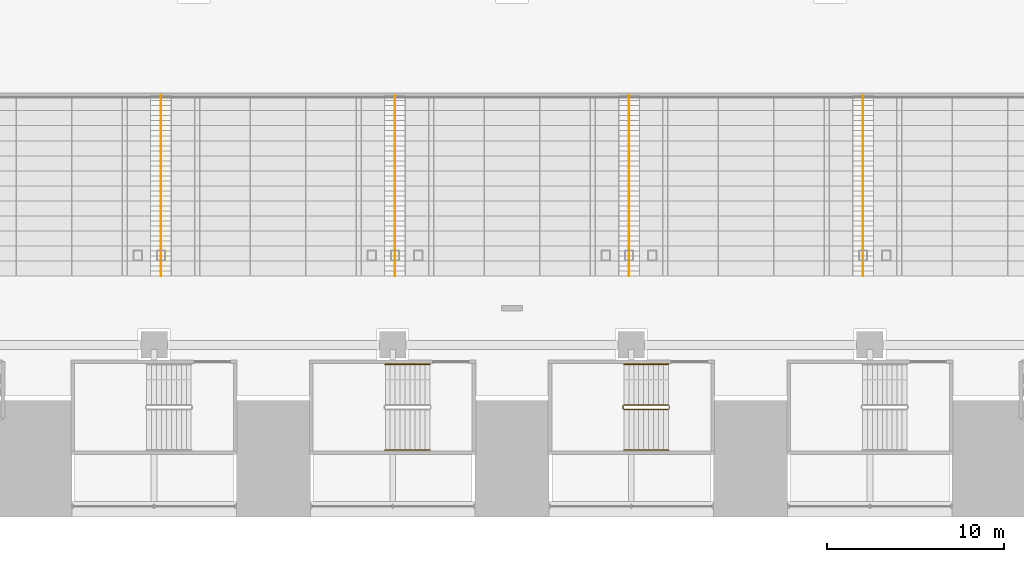
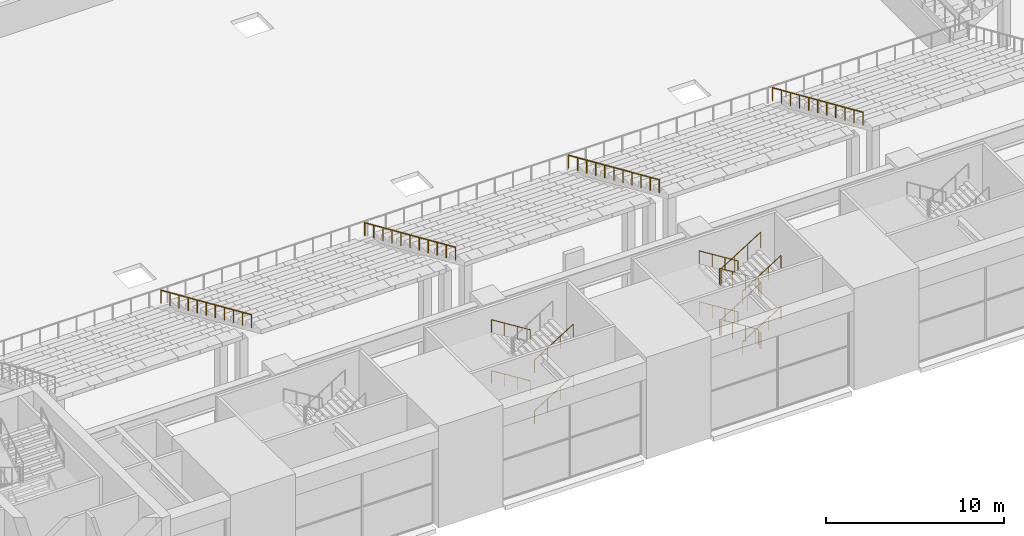
# One storey, part 55 of 62: 4 railings.
"""IFC4 building model written with IfcOpenShell, lengths in metres."""

from ifc_helpers import new_model, si_unit, direction, frame, origin, origin_2d, place, context, subcontext, project, spatial, circle, extrude, material, type_object, element, save


model = new_model("IFC4")

# Units and contexts
model_context = context("Model", 3, precision=1e-05, world=origin(), true_north=direction((0.0, 1.0)))
body_context = subcontext(model_context, "Body", "Model", "MODEL_VIEW")
ifc_project = project(units=[si_unit("LENGTHUNIT", "METRE"), si_unit("AREAUNIT", "SQUARE_METRE"), si_unit("VOLUMEUNIT", "CUBIC_METRE"), si_unit("PLANEANGLEUNIT", "RADIAN"), si_unit("MASSUNIT", "GRAM", prefix="KILO")], contexts=[model_context])

# Site, building, storey
site_placement = place(None, origin())
site = spatial("IfcSite", under=ifc_project, at=site_placement, CompositionType="ELEMENT")
building_placement = place(site_placement, origin())
building = spatial("IfcBuilding", under=site, at=building_placement, Name="Corbelhall Arena Tower", CompositionType="ELEMENT")
storey_placement = place(building_placement, frame((0.0, 0.0, 12.0)))
storey = spatial("IfcBuildingStorey", under=building, at=storey_placement, Name="L01", CompositionType="ELEMENT", Elevation=12.0)

# Railings
ifc_material = material(Name="Stainless steel A4", Category="steel")
railing_type_1 = type_object("IfcRailingType", Name="AR-HANDRAIL-AISLE", PredefinedType="HANDRAIL", material=ifc_material)
railing_1_placement = place(storey_placement, frame((19.860107421875, -15.14990234375, 2.5)))
element("IfcRailing", 1, at=railing_1_placement, inside=storey, type_object=railing_type_1, Name="Aisle handrails LS", PredefinedType="HANDRAIL", context=body_context, shape_type="SweptSolid", body=[
    extrude(circle(Radius=0.02392578125, at=origin_2d()), frame((0.0, 0.0, 0.8759765625), z_axis=(0.0, -0.914920655812, 0.403633736906), x_axis=(1.0, 0.0, 0.0)), (0.0, 0.0, 1.0), 11.148681640625),
    extrude(circle(Radius=0.02392578125, at=origin_2d()), frame((-13.239990234375, 0.0, 0.8759765625), z_axis=(0.0, -0.914920655812, 0.403633736906), x_axis=(1.0, 0.0, 0.0)), (0.0, 0.0, 1.0), 11.148681640625),
    extrude(circle(Radius=0.02392578125, at=origin_2d()), frame((-26.480224609375, 0.0, 0.8759765625), z_axis=(0.0, -0.914920655812, 0.403633736906), x_axis=(1.0, 0.0, 0.0)), (0.0, 0.0, 1.0), 11.148681640625),
    extrude(circle(Radius=0.02392578125, at=origin_2d()), frame((-39.72021484375, 0.0, 0.8759765625), z_axis=(0.0, -0.914920655812, 0.403633736906), x_axis=(1.0, 0.0, 0.0)), (0.0, 0.0, 1.0), 11.148681640625),
    extrude(circle(Radius=0.02099609375, at=origin_2d()), origin(), (0.0, 0.0, 1.0), 0.851806640625),
    extrude(circle(Radius=0.02099609375, at=origin_2d()), frame((0.0, -1.02001953125, 0.449951171875)), (0.0, 0.0, 1.0), 0.851806640625),
    extrude(circle(Radius=0.02099609375, at=origin_2d()), frame((0.0, -2.0400390625, 0.89990234375)), (0.0, 0.0, 1.0), 0.851806640625),
    extrude(circle(Radius=0.02099609375, at=origin_2d()), frame((0.0, -3.06005859375, 1.35009765625)), (0.0, 0.0, 1.0), 0.851806640625),
    extrude(circle(Radius=0.02099609375, at=origin_2d()), frame((0.0, -4.080078125, 1.800048828125)), (0.0, 0.0, 1.0), 0.851806640625),
    extrude(circle(Radius=0.02099609375, at=origin_2d()), frame((0.0, -5.10009765625, 2.25)), (0.0, 0.0, 1.0), 0.851806640625),
    extrude(circle(Radius=0.02099609375, at=origin_2d()), frame((0.0, -6.1201171875, 2.699951171875)), (0.0, 0.0, 1.0), 0.851806640625),
    extrude(circle(Radius=0.02099609375, at=origin_2d()), frame((0.0, -7.14013671875, 3.14990234375)), (0.0, 0.0, 1.0), 0.851806640625),
    extrude(circle(Radius=0.02099609375, at=origin_2d()), frame((0.0, -8.16015625, 3.60009765625)), (0.0, 0.0, 1.0), 0.851806640625),
    extrude(circle(Radius=0.02099609375, at=origin_2d()), frame((0.0, -9.18017578125, 4.050048828125)), (0.0, 0.0, 1.0), 0.851806640625),
    extrude(circle(Radius=0.02099609375, at=origin_2d()), frame((0.0, -10.2001953125, 4.5)), (0.0, 0.0, 1.0), 0.851806640625),
    extrude(circle(Radius=0.02099609375, at=origin_2d()), frame((-13.239990234375, 0.0, 0.0)), (0.0, 0.0, 1.0), 0.851806640625),
    extrude(circle(Radius=0.02099609375, at=origin_2d()), frame((-13.239990234375, -1.02001953125, 0.449951171875)), (0.0, 0.0, 1.0), 0.851806640625),
    extrude(circle(Radius=0.02099609375, at=origin_2d()), frame((-13.239990234375, -2.0400390625, 0.89990234375)), (0.0, 0.0, 1.0), 0.851806640625),
    extrude(circle(Radius=0.02099609375, at=origin_2d()), frame((-13.239990234375, -3.06005859375, 1.35009765625)), (0.0, 0.0, 1.0), 0.851806640625),
    extrude(circle(Radius=0.02099609375, at=origin_2d()), frame((-13.239990234375, -4.080078125, 1.800048828125)), (0.0, 0.0, 1.0), 0.851806640625),
    extrude(circle(Radius=0.02099609375, at=origin_2d()), frame((-13.239990234375, -5.10009765625, 2.25)), (0.0, 0.0, 1.0), 0.851806640625),
    extrude(circle(Radius=0.02099609375, at=origin_2d()), frame((-13.239990234375, -6.1201171875, 2.699951171875)), (0.0, 0.0, 1.0), 0.851806640625),
    extrude(circle(Radius=0.02099609375, at=origin_2d()), frame((-13.239990234375, -7.14013671875, 3.14990234375)), (0.0, 0.0, 1.0), 0.851806640625),
    extrude(circle(Radius=0.02099609375, at=origin_2d()), frame((-13.239990234375, -8.16015625, 3.60009765625)), (0.0, 0.0, 1.0), 0.851806640625),
    extrude(circle(Radius=0.02099609375, at=origin_2d()), frame((-13.239990234375, -9.18017578125, 4.050048828125)), (0.0, 0.0, 1.0), 0.851806640625),
    extrude(circle(Radius=0.02099609375, at=origin_2d()), frame((-13.239990234375, -10.2001953125, 4.5)), (0.0, 0.0, 1.0), 0.851806640625),
    extrude(circle(Radius=0.02099609375, at=origin_2d()), frame((-26.480224609375, 0.0, 0.0)), (0.0, 0.0, 1.0), 0.851806640625),
    extrude(circle(Radius=0.02099609375, at=origin_2d()), frame((-26.480224609375, -1.02001953125, 0.449951171875)), (0.0, 0.0, 1.0), 0.851806640625),
    extrude(circle(Radius=0.02099609375, at=origin_2d()), frame((-26.480224609375, -2.0400390625, 0.89990234375)), (0.0, 0.0, 1.0), 0.851806640625),
    extrude(circle(Radius=0.02099609375, at=origin_2d()), frame((-26.480224609375, -3.06005859375, 1.35009765625)), (0.0, 0.0, 1.0), 0.851806640625),
    extrude(circle(Radius=0.02099609375, at=origin_2d()), frame((-26.480224609375, -4.080078125, 1.800048828125)), (0.0, 0.0, 1.0), 0.851806640625),
    extrude(circle(Radius=0.02099609375, at=origin_2d()), frame((-26.480224609375, -5.10009765625, 2.25)), (0.0, 0.0, 1.0), 0.851806640625),
    extrude(circle(Radius=0.02099609375, at=origin_2d()), frame((-26.480224609375, -6.1201171875, 2.699951171875)), (0.0, 0.0, 1.0), 0.851806640625),
    extrude(circle(Radius=0.02099609375, at=origin_2d()), frame((-26.480224609375, -7.14013671875, 3.14990234375)), (0.0, 0.0, 1.0), 0.851806640625),
    extrude(circle(Radius=0.02099609375, at=origin_2d()), frame((-26.480224609375, -8.16015625, 3.60009765625)), (0.0, 0.0, 1.0), 0.851806640625),
    extrude(circle(Radius=0.02099609375, at=origin_2d()), frame((-26.480224609375, -9.18017578125, 4.050048828125)), (0.0, 0.0, 1.0), 0.851806640625),
    extrude(circle(Radius=0.02099609375, at=origin_2d()), frame((-26.480224609375, -10.2001953125, 4.5)), (0.0, 0.0, 1.0), 0.851806640625),
    extrude(circle(Radius=0.02099609375, at=origin_2d()), frame((-39.72021484375, 0.0, 0.0)), (0.0, 0.0, 1.0), 0.851806640625),
    extrude(circle(Radius=0.02099609375, at=origin_2d()), frame((-39.72021484375, -1.02001953125, 0.449951171875)), (0.0, 0.0, 1.0), 0.851806640625),
    extrude(circle(Radius=0.02099609375, at=origin_2d()), frame((-39.72021484375, -2.0400390625, 0.89990234375)), (0.0, 0.0, 1.0), 0.851806640625),
    extrude(circle(Radius=0.02099609375, at=origin_2d()), frame((-39.72021484375, -3.06005859375, 1.35009765625)), (0.0, 0.0, 1.0), 0.851806640625),
    extrude(circle(Radius=0.02099609375, at=origin_2d()), frame((-39.72021484375, -4.080078125, 1.800048828125)), (0.0, 0.0, 1.0), 0.851806640625),
    extrude(circle(Radius=0.02099609375, at=origin_2d()), frame((-39.72021484375, -5.10009765625, 2.25)), (0.0, 0.0, 1.0), 0.851806640625),
    extrude(circle(Radius=0.02099609375, at=origin_2d()), frame((-39.72021484375, -6.1201171875, 2.699951171875)), (0.0, 0.0, 1.0), 0.851806640625),
    extrude(circle(Radius=0.02099609375, at=origin_2d()), frame((-39.72021484375, -7.14013671875, 3.14990234375)), (0.0, 0.0, 1.0), 0.851806640625),
    extrude(circle(Radius=0.02099609375, at=origin_2d()), frame((-39.72021484375, -8.16015625, 3.60009765625)), (0.0, 0.0, 1.0), 0.851806640625),
    extrude(circle(Radius=0.02099609375, at=origin_2d()), frame((-39.72021484375, -9.18017578125, 4.050048828125)), (0.0, 0.0, 1.0), 0.851806640625),
    extrude(circle(Radius=0.02099609375, at=origin_2d()), frame((-39.72021484375, -10.2001953125, 4.5)), (0.0, 0.0, 1.0), 0.851806640625),
])
railing_type_2 = type_object("IfcRailingType", Name="AR-STAIR-GUARD", PredefinedType="GUARDRAIL", material=ifc_material)
railing_2_placement = place(storey_placement, frame((8.85009765625, -32.64990234375, 0.175048828125)))
element("IfcRailing", 2, at=railing_2_placement, inside=storey, type_object=railing_type_2, Name="L01 AS15 stair guards", PredefinedType="GUARDRAIL", context=body_context, shape_type="SweptSolid", body=[
    extrude(circle(Radius=0.02392578125, at=origin_2d()), frame((0.0, 0.0, 1.076171875), z_axis=(-0.848007534815, 0.0, 0.529984170421), x_axis=(0.0, -1.0, 0.0)), (0.0, 0.0, 1.0), 2.9716796875),
    extrude(circle(Radius=0.02392578125, at=origin_2d()), frame((-2.570068359375, -0.050048828125, 2.65087890625), z_axis=(0.0, -1.0, 0.0), x_axis=(1.0, 0.0, 0.0)), (0.0, 0.0, 1.0), 0.150146484375),
    extrude(circle(Radius=0.02392578125, at=origin_2d()), frame((-2.52001953125, -0.25, 2.826171875), z_axis=(0.848007534815, 0.0, 0.529984170421), x_axis=(0.0, 1.0, 0.0)), (0.0, 0.0, 1.0), 2.9716796875),
    extrude(circle(Radius=0.02392578125, at=origin_2d()), frame((0.0498046875, -0.050048828125, 4.40087890625), z_axis=(0.0, -1.0, 0.0), x_axis=(1.0, 0.0, 0.0)), (0.0, 0.0, 1.0), 0.150146484375),
    extrude(circle(Radius=0.02392578125, at=origin_2d()), frame((0.0, 0.0, 4.576171875), z_axis=(-0.848007534815, 0.0, 0.529984170421), x_axis=(0.0, -1.0, 0.0)), (0.0, 0.0, 1.0), 2.9716796875),
    extrude(circle(Radius=0.02392578125, at=origin_2d()), frame((-2.570068359375, -0.050048828125, 6.15087890625), z_axis=(0.0, -1.0, 0.0), x_axis=(1.0, 0.0, 0.0)), (0.0, 0.0, 1.0), 0.150146484375),
    extrude(circle(Radius=0.02392578125, at=origin_2d()), frame((-2.52001953125, -0.25, 6.326171875), z_axis=(0.848007534815, 0.0, 0.529984170421), x_axis=(0.0, 1.0, 0.0)), (0.0, 0.0, 1.0), 2.9716796875),
    extrude(circle(Radius=0.02392578125, at=origin_2d()), frame((0.0498046875, -0.050048828125, 0.90087890625), z_axis=(0.0, -1.0, 0.0), x_axis=(1.0, 0.0, 0.0)), (0.0, 0.0, 1.0), 0.150146484375),
    extrude(circle(Radius=0.02099609375, at=origin_2d()), origin(), (0.0, 0.0, 1.0), 1.052001953125),
    extrude(circle(Radius=0.02099609375, at=origin_2d()), frame((-0.840087890625, 0.0, 0.52490234375)), (0.0, 0.0, 1.0), 1.052001953125),
    extrude(circle(Radius=0.02099609375, at=origin_2d()), frame((-1.679931640625, 0.0, 1.050048828125)), (0.0, 0.0, 1.0), 1.052001953125),
    extrude(circle(Radius=0.02099609375, at=origin_2d()), frame((-2.52001953125, 0.0, 1.574951171875)), (0.0, 0.0, 1.0), 1.052001953125),
    extrude(circle(Radius=0.02099609375, at=origin_2d()), frame((-2.570068359375, -0.050048828125, 1.574951171875)), (0.0, 0.0, 1.0), 1.052001953125),
    extrude(circle(Radius=0.02099609375, at=origin_2d()), frame((-2.570068359375, -0.2001953125, 1.574951171875)), (0.0, 0.0, 1.0), 1.052001953125),
    extrude(circle(Radius=0.02099609375, at=origin_2d()), frame((-2.52001953125, -0.25, 1.75)), (0.0, 0.0, 1.0), 1.052001953125),
    extrude(circle(Radius=0.02099609375, at=origin_2d()), frame((-1.679931640625, -0.25, 2.27490234375)), (0.0, 0.0, 1.0), 1.052001953125),
    extrude(circle(Radius=0.02099609375, at=origin_2d()), frame((-0.840087890625, -0.25, 2.800048828125)), (0.0, 0.0, 1.0), 1.052001953125),
    extrude(circle(Radius=0.02099609375, at=origin_2d()), frame((0.0, -0.25, 3.324951171875)), (0.0, 0.0, 1.0), 1.052001953125),
    extrude(circle(Radius=0.02099609375, at=origin_2d()), frame((0.0498046875, -0.050048828125, 3.324951171875)), (0.0, 0.0, 1.0), 1.052001953125),
    extrude(circle(Radius=0.02099609375, at=origin_2d()), frame((0.0498046875, -0.2001953125, 3.324951171875)), (0.0, 0.0, 1.0), 1.052001953125),
    extrude(circle(Radius=0.02099609375, at=origin_2d()), frame((0.0, 0.0, 3.5)), (0.0, 0.0, 1.0), 1.052001953125),
    extrude(circle(Radius=0.02099609375, at=origin_2d()), frame((-0.840087890625, 0.0, 4.02490234375)), (0.0, 0.0, 1.0), 1.052001953125),
    extrude(circle(Radius=0.02099609375, at=origin_2d()), frame((-1.679931640625, 0.0, 4.550048828125)), (0.0, 0.0, 1.0), 1.052001953125),
    extrude(circle(Radius=0.02099609375, at=origin_2d()), frame((-2.52001953125, 0.0, 5.074951171875)), (0.0, 0.0, 1.0), 1.052001953125),
    extrude(circle(Radius=0.02099609375, at=origin_2d()), frame((-2.570068359375, -0.050048828125, 5.074951171875)), (0.0, 0.0, 1.0), 1.052001953125),
    extrude(circle(Radius=0.02099609375, at=origin_2d()), frame((-2.570068359375, -0.2001953125, 5.074951171875)), (0.0, 0.0, 1.0), 1.052001953125),
    extrude(circle(Radius=0.02099609375, at=origin_2d()), frame((-2.52001953125, -0.25, 5.25)), (0.0, 0.0, 1.0), 1.052001953125),
    extrude(circle(Radius=0.02099609375, at=origin_2d()), frame((-1.679931640625, -0.25, 5.77490234375)), (0.0, 0.0, 1.0), 1.052001953125),
    extrude(circle(Radius=0.02099609375, at=origin_2d()), frame((-0.840087890625, -0.25, 6.300048828125)), (0.0, 0.0, 1.0), 1.052001953125),
    extrude(circle(Radius=0.02099609375, at=origin_2d()), frame((0.0, -0.25, 6.824951171875)), (0.0, 0.0, 1.0), 1.052001953125),
    extrude(circle(Radius=0.02099609375, at=origin_2d()), frame((0.0498046875, -0.050048828125, -0.175048828125)), (0.0, 0.0, 1.0), 1.052001953125),
    extrude(circle(Radius=0.02099609375, at=origin_2d()), frame((0.0498046875, -0.2001953125, -0.175048828125)), (0.0, 0.0, 1.0), 1.052001953125),
])
railing_type_3 = type_object("IfcRailingType", Name="AR-STAIR-HANDRAIL", PredefinedType="HANDRAIL", material=ifc_material)
railing_3_placement = place(storey_placement, frame((-4.64990234375, -30.35009765625, 0.175048828125)))
element("IfcRailing", 3, at=railing_3_placement, inside=storey, type_object=railing_type_3, Name="L01 AS14 stair handrails", PredefinedType="HANDRAIL", context=body_context, shape_type="SweptSolid", body=[
    extrude(circle(Radius=0.02392578125, at=origin_2d()), frame((0.0, 0.0, 0.8759765625), z_axis=(-0.848007534815, 0.0, 0.529984170421), x_axis=(0.0, -1.0, 0.0)), (0.0, 0.0, 1.0), 2.9716796875),
    extrude(circle(Radius=0.02392578125, at=origin_2d()), frame((-2.52001953125, -4.849853515625, 2.6259765625), z_axis=(0.848007534815, 0.0, 0.529984170421), x_axis=(0.0, 1.0, 0.0)), (0.0, 0.0, 1.0), 2.9716796875),
    extrude(circle(Radius=0.02392578125, at=origin_2d()), frame((0.0, 0.0, 4.3759765625), z_axis=(-0.848007534815, 0.0, 0.529984170421), x_axis=(0.0, -1.0, 0.0)), (0.0, 0.0, 1.0), 2.9716796875),
    extrude(circle(Radius=0.02392578125, at=origin_2d()), frame((-2.52001953125, -4.849853515625, 6.1259765625), z_axis=(0.848007534815, 0.0, 0.529984170421), x_axis=(0.0, 1.0, 0.0)), (0.0, 0.0, 1.0), 2.9716796875),
    extrude(circle(Radius=0.02099609375, at=origin_2d()), origin(), (0.0, 0.0, 1.0), 0.851806640625),
    extrude(circle(Radius=0.02099609375, at=origin_2d()), frame((-0.840087890625, 0.0, 0.52490234375)), (0.0, 0.0, 1.0), 0.851806640625),
    extrude(circle(Radius=0.02099609375, at=origin_2d()), frame((-1.679931640625, 0.0, 1.050048828125)), (0.0, 0.0, 1.0), 0.851806640625),
    extrude(circle(Radius=0.02099609375, at=origin_2d()), frame((-2.52001953125, 0.0, 1.574951171875)), (0.0, 0.0, 1.0), 0.851806640625),
    extrude(circle(Radius=0.02099609375, at=origin_2d()), frame((-2.52001953125, -4.849853515625, 1.75)), (0.0, 0.0, 1.0), 0.851806640625),
    extrude(circle(Radius=0.02099609375, at=origin_2d()), frame((-1.679931640625, -4.849853515625, 2.27490234375)), (0.0, 0.0, 1.0), 0.851806640625),
    extrude(circle(Radius=0.02099609375, at=origin_2d()), frame((-0.840087890625, -4.849853515625, 2.800048828125)), (0.0, 0.0, 1.0), 0.851806640625),
    extrude(circle(Radius=0.02099609375, at=origin_2d()), frame((0.0, -4.849853515625, 3.324951171875)), (0.0, 0.0, 1.0), 0.851806640625),
    extrude(circle(Radius=0.02099609375, at=origin_2d()), frame((0.0, 0.0, 3.5)), (0.0, 0.0, 1.0), 0.851806640625),
    extrude(circle(Radius=0.02099609375, at=origin_2d()), frame((-0.840087890625, 0.0, 4.02490234375)), (0.0, 0.0, 1.0), 0.851806640625),
    extrude(circle(Radius=0.02099609375, at=origin_2d()), frame((-1.679931640625, 0.0, 4.550048828125)), (0.0, 0.0, 1.0), 0.851806640625),
    extrude(circle(Radius=0.02099609375, at=origin_2d()), frame((-2.52001953125, 0.0, 5.074951171875)), (0.0, 0.0, 1.0), 0.851806640625),
    extrude(circle(Radius=0.02099609375, at=origin_2d()), frame((-2.52001953125, -4.849853515625, 5.25)), (0.0, 0.0, 1.0), 0.851806640625),
    extrude(circle(Radius=0.02099609375, at=origin_2d()), frame((-1.679931640625, -4.849853515625, 5.77490234375)), (0.0, 0.0, 1.0), 0.851806640625),
    extrude(circle(Radius=0.02099609375, at=origin_2d()), frame((-0.840087890625, -4.849853515625, 6.300048828125)), (0.0, 0.0, 1.0), 0.851806640625),
    extrude(circle(Radius=0.02099609375, at=origin_2d()), frame((0.0, -4.849853515625, 6.824951171875)), (0.0, 0.0, 1.0), 0.851806640625),
])
railing_4_placement = place(storey_placement, frame((8.85009765625, -30.35009765625, 0.175048828125)))
element("IfcRailing", 4, at=railing_4_placement, inside=storey, type_object=railing_type_3, Name="L01 AS15 stair handrails", PredefinedType="HANDRAIL", context=body_context, shape_type="SweptSolid", body=[
    extrude(circle(Radius=0.02392578125, at=origin_2d()), frame((0.0, 0.0, 0.8759765625), z_axis=(-0.848007534815, 0.0, 0.529984170421), x_axis=(0.0, -1.0, 0.0)), (0.0, 0.0, 1.0), 2.9716796875),
    extrude(circle(Radius=0.02392578125, at=origin_2d()), frame((-2.52001953125, -4.849853515625, 2.6259765625), z_axis=(0.848007534815, 0.0, 0.529984170421), x_axis=(0.0, 1.0, 0.0)), (0.0, 0.0, 1.0), 2.9716796875),
    extrude(circle(Radius=0.02392578125, at=origin_2d()), frame((0.0, 0.0, 4.3759765625), z_axis=(-0.848007534815, 0.0, 0.529984170421), x_axis=(0.0, -1.0, 0.0)), (0.0, 0.0, 1.0), 2.9716796875),
    extrude(circle(Radius=0.02392578125, at=origin_2d()), frame((-2.52001953125, -4.849853515625, 6.1259765625), z_axis=(0.848007534815, 0.0, 0.529984170421), x_axis=(0.0, 1.0, 0.0)), (0.0, 0.0, 1.0), 2.9716796875),
    extrude(circle(Radius=0.02099609375, at=origin_2d()), origin(), (0.0, 0.0, 1.0), 0.851806640625),
    extrude(circle(Radius=0.02099609375, at=origin_2d()), frame((-0.840087890625, 0.0, 0.52490234375)), (0.0, 0.0, 1.0), 0.851806640625),
    extrude(circle(Radius=0.02099609375, at=origin_2d()), frame((-1.679931640625, 0.0, 1.050048828125)), (0.0, 0.0, 1.0), 0.851806640625),
    extrude(circle(Radius=0.02099609375, at=origin_2d()), frame((-2.52001953125, 0.0, 1.574951171875)), (0.0, 0.0, 1.0), 0.851806640625),
    extrude(circle(Radius=0.02099609375, at=origin_2d()), frame((-2.52001953125, -4.849853515625, 1.75)), (0.0, 0.0, 1.0), 0.851806640625),
    extrude(circle(Radius=0.02099609375, at=origin_2d()), frame((-1.679931640625, -4.849853515625, 2.27490234375)), (0.0, 0.0, 1.0), 0.851806640625),
    extrude(circle(Radius=0.02099609375, at=origin_2d()), frame((-0.840087890625, -4.849853515625, 2.800048828125)), (0.0, 0.0, 1.0), 0.851806640625),
    extrude(circle(Radius=0.02099609375, at=origin_2d()), frame((0.0, -4.849853515625, 3.324951171875)), (0.0, 0.0, 1.0), 0.851806640625),
    extrude(circle(Radius=0.02099609375, at=origin_2d()), frame((0.0, 0.0, 3.5)), (0.0, 0.0, 1.0), 0.851806640625),
    extrude(circle(Radius=0.02099609375, at=origin_2d()), frame((-0.840087890625, 0.0, 4.02490234375)), (0.0, 0.0, 1.0), 0.851806640625),
    extrude(circle(Radius=0.02099609375, at=origin_2d()), frame((-1.679931640625, 0.0, 4.550048828125)), (0.0, 0.0, 1.0), 0.851806640625),
    extrude(circle(Radius=0.02099609375, at=origin_2d()), frame((-2.52001953125, 0.0, 5.074951171875)), (0.0, 0.0, 1.0), 0.851806640625),
    extrude(circle(Radius=0.02099609375, at=origin_2d()), frame((-2.52001953125, -4.849853515625, 5.25)), (0.0, 0.0, 1.0), 0.851806640625),
    extrude(circle(Radius=0.02099609375, at=origin_2d()), frame((-1.679931640625, -4.849853515625, 5.77490234375)), (0.0, 0.0, 1.0), 0.851806640625),
    extrude(circle(Radius=0.02099609375, at=origin_2d()), frame((-0.840087890625, -4.849853515625, 6.300048828125)), (0.0, 0.0, 1.0), 0.851806640625),
    extrude(circle(Radius=0.02099609375, at=origin_2d()), frame((0.0, -4.849853515625, 6.824951171875)), (0.0, 0.0, 1.0), 0.851806640625),
])

save(model, "model.ifc")
